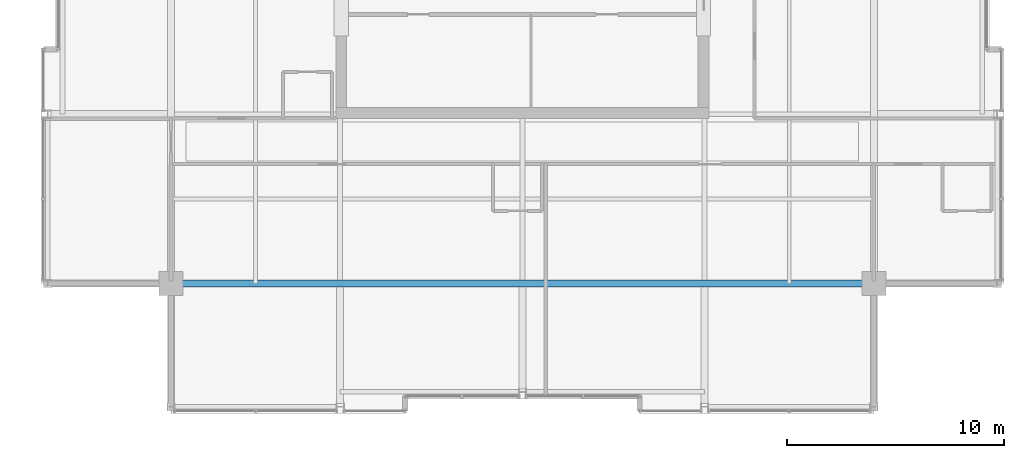
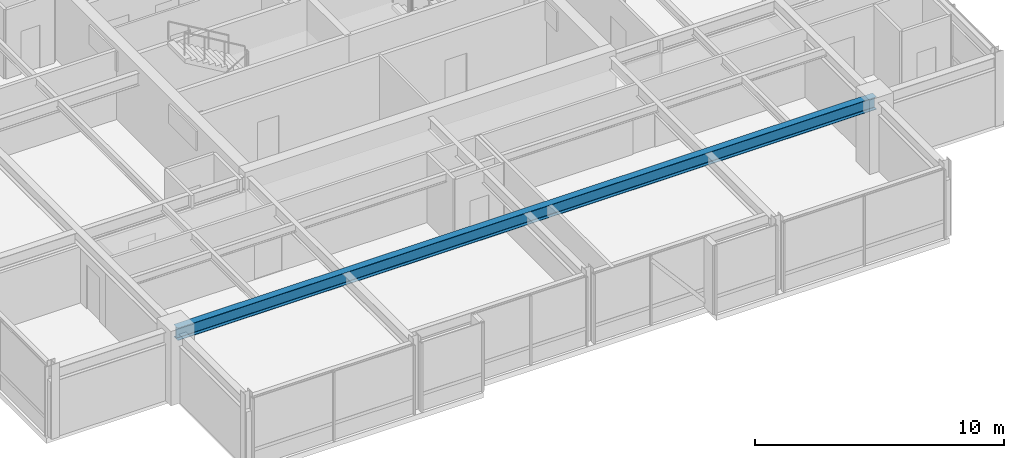
# One storey, part 8 of 33: 1 beam.
"""IFC4 building model written with IfcOpenShell, lengths in metres."""

from ifc_helpers import new_model, si_unit, direction, frame, origin, origin_2d, place, context, subcontext, project, spatial, i_section, extrude, material, material_profile, profile_set, type_object, element, save


model = new_model("IFC4")

# Units and contexts
model_context = context("Model", 3, precision=1e-05, world=origin(), true_north=direction((0.0, 1.0)))
body_context = subcontext(model_context, "Body", "Model", "MODEL_VIEW")
ifc_project = project(units=[si_unit("LENGTHUNIT", "METRE"), si_unit("AREAUNIT", "SQUARE_METRE"), si_unit("VOLUMEUNIT", "CUBIC_METRE"), si_unit("PLANEANGLEUNIT", "RADIAN"), si_unit("MASSUNIT", "GRAM", prefix="KILO")], contexts=[model_context])

# Site, building, storey
site_placement = place(None, origin())
site = spatial("IfcSite", under=ifc_project, at=site_placement, CompositionType="ELEMENT")
building_placement = place(site_placement, origin())
building = spatial("IfcBuilding", under=site, at=building_placement, Name="Drelvath Grand Hotel", CompositionType="ELEMENT")
storey_placement = place(building_placement, frame((0.0, 0.0, 279.60009765625)))
storey = spatial("IfcBuildingStorey", under=building, at=storey_placement, Name="L73", CompositionType="ELEMENT", Elevation=279.60009765625)

# Beam
ifc_material = material(Name="Steel ASTM A992 Gr 50", Category="steel")
ifc_material_profile = material_profile(ifc_material, i_section(OverallWidth=0.323974609375, OverallDepth=0.611083984375, WebThickness=0.0126953125, FlangeThickness=0.01904296875, FilletRadius=0.02197265625, at=origin_2d()), Name="W24X104")
ifc_profile_set = profile_set([ifc_material_profile], Name="Steel ASTM A992 Gr 50")
beam_type = type_object("IfcBeamType", Name="Primary Floor Girder W24X104", PredefinedType="BEAM", material=ifc_profile_set)
beam_placement = place(storey_placement, frame((-16.199951171875, 10.800048828125, 3.08447265625), z_axis=(1.0, 0.0, 0.0), x_axis=(0.0, 1.0, 0.0)))
element("IfcBeam", 1, at=beam_placement, inside=storey, type_object=beam_type, Name="L73 Mega Ring Girder South", PredefinedType="BEAM", context=body_context, shape_type="SweptSolid", body=[
    extrude(i_section(OverallWidth=0.323974609375, OverallDepth=0.611083984375, WebThickness=0.0126953125, FlangeThickness=0.01904296875, FilletRadius=0.02197265625, at=origin_2d()), origin(), (0.0, 0.0, 1.0), 32.39990234375),
])

save(model, "model.ifc")
